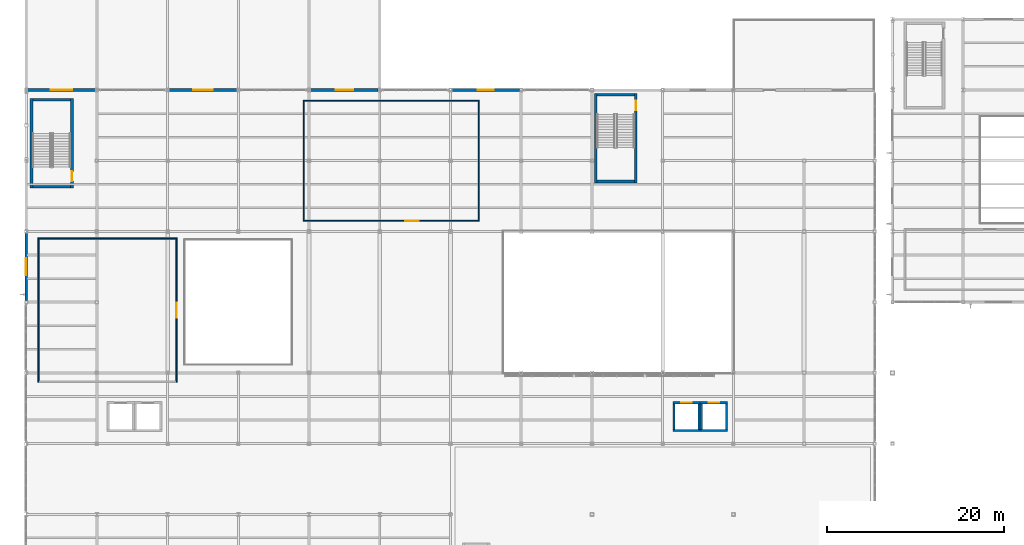
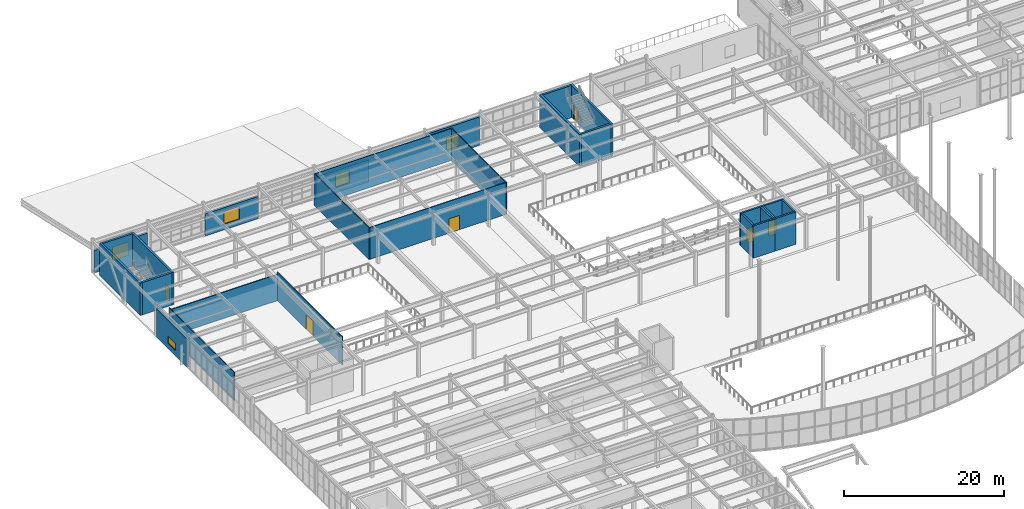
# One storey, part 58 of 77: 28 walls, 6 doors, 5 windows, 11 openings.
"""IFC4 building model written with IfcOpenShell, lengths in metres."""

import ifcopenshell
import ifcopenshell.guid

model = None  # the IFC model being written
_history = None  # IfcOwnerHistory: only IFC2X3 demands one
_inside = {}  # id of a spatial element -> (the spatial element, [elements in it])
_under = {}  # id of a project, library or spatial element -> (it, [spatial elements below it])
_declared = {}  # id of a project -> (the project, [libraries it declares])
_typed = {}  # id of a type object -> (the type object, [elements of that type])
_made_of = {}  # id of a material, layer set ... -> (it, [elements and type objects made of it])


def new_model(schema):
    """Start an empty IFC model of exactly this schema.

    Asked for "IFC4X3", IfcOpenShell would pick the latest addendum, in which some entities
    have other attributes; the version numbers below select the first issue.
    IFC2X3 requires an IfcOwnerHistory on every rooted entity: one is made here for all.
    """
    global model, _history
    if schema == "IFC4X3":
        model = ifcopenshell.file(schema_version=(4, 3, 0, 0))
    else:
        model = ifcopenshell.file(schema=schema)
    _inside.clear()
    _under.clear()
    _declared.clear()
    _typed.clear()
    _made_of.clear()
    _history = None
    if model.schema == "IFC2X3":
        org = make("IfcOrganization", Name="unknown")
        user = make(
            "IfcPersonAndOrganization",
            ThePerson=make("IfcPerson", FamilyName="unknown"),
            TheOrganization=org,
        )
        app = make(
            "IfcApplication",
            ApplicationDeveloper=org,
            Version="unknown",
            ApplicationFullName="unknown",
            ApplicationIdentifier="unknown",
        )
        _history = make(
            "IfcOwnerHistory",
            OwningUser=user,
            OwningApplication=app,
            ChangeAction="ADDED",
            CreationDate=0,
        )
    return model


def make(cls, **values):
    """One entity of the class cls with the attributes given. An attribute that is None is left unset."""
    return model.create_entity(
        cls, **{name: value for name, value in values.items() if value is not None}
    )


def rooted(cls, **values):
    """An entity with a GlobalId (a new one), such as an element, a storey or a relation."""
    return make(cls, GlobalId=ifcopenshell.guid.new(), OwnerHistory=_history, **values)


def si_unit(unit_type, name, prefix=None):
    """IfcSIUnit, for example si_unit("LENGTHUNIT", "METRE", prefix="MILLI")."""
    return make("IfcSIUnit", UnitType=unit_type, Prefix=prefix, Name=name)


def assignment(units):
    """IfcUnitAssignment: the units of a project."""
    return None if units is None else make("IfcUnitAssignment", Units=units)


def point(xyz):
    """IfcCartesianPoint."""
    return None if xyz is None else make("IfcCartesianPoint", Coordinates=xyz)


def direction(xyz):
    """IfcDirection."""
    return None if xyz is None else make("IfcDirection", DirectionRatios=xyz)


def frame(location, z_axis=None, x_axis=None):
    """IfcAxis2Placement3D, a coordinate frame: its origin and axes. An axis left out is left unset."""
    return make(
        "IfcAxis2Placement3D",
        Location=point(location),
        Axis=direction(z_axis),
        RefDirection=direction(x_axis),
    )


def frame_2d(location, x_axis=None):
    """IfcAxis2Placement2D, a coordinate frame in the plane: its origin and x axis."""
    return make(
        "IfcAxis2Placement2D", Location=point(location), RefDirection=direction(x_axis)
    )


def origin():
    """The frame at (0, 0, 0) with its axes left unset."""
    return frame((0.0, 0.0, 0.0))


def place(relative_to, where):
    """IfcLocalPlacement: puts the frame where relative to a parent placement (None: the world)."""
    return make(
        "IfcLocalPlacement", PlacementRelTo=relative_to, RelativePlacement=where
    )


def context(
    kind, dimensions, precision=None, world=None, true_north=None, identifier=None
):
    """IfcGeometricRepresentationContext, for example the 3D "Model" context."""
    return make(
        "IfcGeometricRepresentationContext",
        ContextIdentifier=identifier,
        ContextType=kind,
        CoordinateSpaceDimension=dimensions,
        Precision=precision,
        WorldCoordinateSystem=world,
        TrueNorth=true_north,
    )


def subcontext(parent, identifier, kind, view, scale=None):
    """IfcGeometricRepresentationSubContext, for example "Body" below "Model"."""
    return make(
        "IfcGeometricRepresentationSubContext",
        ContextIdentifier=identifier,
        ContextType=kind,
        ParentContext=parent,
        TargetScale=scale,
        TargetView=view,
    )


def project(units=None, contexts=None):
    """IfcProject with its units and contexts."""
    return rooted(
        "IfcProject",
        Name="project",
        RepresentationContexts=contexts,
        UnitsInContext=assignment(units),
    )


def spatial(cls, under=None, at=None, **own):
    """A site, building, storey or space (cls), placed at a placement, below another one or the project."""
    s = rooted(cls, ObjectPlacement=at, **own)
    if under is not None:
        _under.setdefault(under.id(), (under, []))[1].append(s)
    return s


def profile(cls, at=None, kind="AREA", **sizes):
    """A parametric profile (cls). Its sizes go by their IFC names, for example OverallWidth=200.0."""
    return make(cls, ProfileType=kind, Position=at, **sizes)


def rectangle(**sizes):
    """IfcRectangleProfileDef."""
    return profile("IfcRectangleProfileDef", **sizes)


def extrude(swept, where, along, depth):
    """IfcExtrudedAreaSolid: the profile swept, set in the frame where, extruded along a direction by depth."""
    return make(
        "IfcExtrudedAreaSolid",
        SweptArea=swept,
        Position=where,
        ExtrudedDirection=direction(along),
        Depth=depth,
    )


def shape(context_of_items, identifier, shape_type, items):
    """IfcShapeRepresentation: the items that make up one representation, for example the "Body"."""
    return make(
        "IfcShapeRepresentation",
        ContextOfItems=context_of_items,
        RepresentationIdentifier=identifier,
        RepresentationType=shape_type,
        Items=items,
    )


def material(Name=None, Category=None):
    """IfcMaterial."""
    return make("IfcMaterial", Name=Name, Category=Category)


def layer(
    of_material, thickness, ventilated=None, Name=None, Category=None, Priority=None
):
    """IfcMaterialLayer: one layer of a wall or slab, of a material (None: an air gap)."""
    return make(
        "IfcMaterialLayer",
        Material=of_material,
        LayerThickness=thickness,
        IsVentilated=ventilated,
        Name=Name,
        Category=Category,
        Priority=Priority,
    )


def layer_set(layers, Name=None):
    """IfcMaterialLayerSet."""
    return make("IfcMaterialLayerSet", MaterialLayers=layers, LayerSetName=Name)


def made_of(thing, what):
    """Note that an element or type object is made of a material, layer set ...; save() writes the relation."""
    if what is not None:
        _made_of.setdefault(what.id(), (what, []))[1].append(thing)
    return thing


def type_object(cls, material=None, **own):
    """A type object (cls), such as IfcWallType, which elements share."""
    return made_of(rooted(cls, **own), material)


def element(
    cls,
    number,
    at=None,
    inside=None,
    cuts=None,
    type_object=None,
    material=None,
    context=None,
    identifier="Body",
    shape_type=None,
    held_by="IfcProductDefinitionShape",
    body=None,
    shapes=None,
    **own,
):
    """One element of the class cls, such as IfcWall. Its Tag is "e" and its number.

    at: its placement. inside: the storey or other place that contains it. cuts: it is an
    opening in that element (IfcRelVoidsElement). A single representation is given by context,
    identifier, shape_type and body (its items); several are given by shapes. held_by: the class
    of the entity that holds the representations. save() writes the other relations.
    """
    e = rooted(cls, Tag="e%d" % number, ObjectPlacement=at, **own)
    if body is not None:
        shapes = [shape(context, identifier, shape_type, body)]
    if shapes is not None:
        e.Representation = make(held_by, Representations=shapes)
    if inside is not None:
        _inside.setdefault(inside.id(), (inside, []))[1].append(e)
    if cuts is not None:
        rooted(
            "IfcRelVoidsElement", RelatingBuildingElement=cuts, RelatedOpeningElement=e
        )
    if type_object is not None:
        _typed.setdefault(type_object.id(), (type_object, []))[1].append(e)
    return made_of(e, material)


def fill(opening, filler):
    """IfcRelFillsElement: the door or window that sits in an opening."""
    return rooted(
        "IfcRelFillsElement",
        RelatingOpeningElement=opening,
        RelatedBuildingElement=filler,
    )


def aggregate(whole, parts):
    """IfcRelAggregates: a whole, such as a stair, and the parts it consists of."""
    return rooted("IfcRelAggregates", RelatingObject=whole, RelatedObjects=parts)


def save(model, path):
    """Write the relations noted so far, then the file.

    IfcRelAggregates (storeys below a building ...), IfcRelContainedInSpatialStructure (elements
    in a storey), IfcRelDefinesByType, IfcRelAssociatesMaterial and IfcRelDeclares: one each for
    every whole, place, type object, material and project.
    """
    for whole, parts in _under.values():
        aggregate(whole, parts)
    for where, things in _inside.values():
        rooted(
            "IfcRelContainedInSpatialStructure",
            RelatedElements=things,
            RelatingStructure=where,
        )
    for kind, things in _typed.values():
        rooted("IfcRelDefinesByType", RelatedObjects=things, RelatingType=kind)
    for what, things in _made_of.values():
        rooted("IfcRelAssociatesMaterial", RelatedObjects=things, RelatingMaterial=what)
    for by, libraries in _declared.values():
        rooted("IfcRelDeclares", RelatingContext=by, RelatedDefinitions=libraries)
    model.write(path)


model = new_model("IFC4")

# Units and contexts
model_context = context("Model", 3, precision=1e-05, world=origin(), true_north=direction((0.0, 1.0)))
body_context = subcontext(model_context, "Body", "Model", "MODEL_VIEW")
ifc_project = project(units=[si_unit("LENGTHUNIT", "METRE"), si_unit("AREAUNIT", "SQUARE_METRE"), si_unit("VOLUMEUNIT", "CUBIC_METRE"), si_unit("PLANEANGLEUNIT", "RADIAN"), si_unit("MASSUNIT", "GRAM", prefix="KILO")], contexts=[model_context])

# Site, building, storey
site_placement = place(None, origin())
site = spatial("IfcSite", under=ifc_project, at=site_placement, CompositionType="ELEMENT")
building_placement = place(site_placement, origin())
building = spatial("IfcBuilding", under=site, at=building_placement, Name="Drelvath Fold Interchange", CompositionType="ELEMENT")
storey_placement = place(building_placement, frame((0.0, 0.0, 6.0)))
storey = spatial("IfcBuildingStorey", under=building, at=storey_placement, Name="L01", CompositionType="ELEMENT", Elevation=6.0)

# Wall
ifc_material_1 = material(Name="Concrete f'c 45 MPa (6500 psi)", Category="concrete")
ifc_layer_1 = layer(ifc_material_1, 0.300048828125, Name="Concrete f'c 45 MPa (6500 psi)")
ifc_layer_set_1 = layer_set([ifc_layer_1], Name="Concrete f'c 45 MPa (6500 psi)")
wall_type_1 = type_object("IfcWallType", Name="WL-CR300", PredefinedType="SHEAR", material=ifc_layer_set_1)
wall_1_placement = place(storey_placement, frame((4.75, 88.050048828125, 0.0), z_axis=(0.0, 0.0, 1.0), x_axis=(1.0, 0.0, 0.0)))
element("IfcWall", 1, at=wall_1_placement, inside=storey, type_object=wall_type_1, Name="ST-05 L01 south core wall", PredefinedType="SHEAR", context=body_context, shape_type="SweptSolid", body=[
    extrude(rectangle(XDim=4.280029296875, YDim=0.300048828125, at=frame_2d((2.14013671875, 0.0))), origin(), (0.0, 0.0, 1.0), 4.945068359375),
])

# Wall, opening, door
wall_2_placement = place(storey_placement, frame((9.179931640625, 87.89990234375, 0.0), z_axis=(0.0, 0.0, 1.0), x_axis=(0.0, 1.0, 0.0)))
wall_2 = element("IfcWall", 2, at=wall_2_placement, inside=storey, type_object=wall_type_1, Name="ST-05 L01 east core wall", PredefinedType="SHEAR", context=body_context, shape_type="SweptSolid", body=[
    extrude(rectangle(XDim=10.150146484375, YDim=0.300048828125, at=frame_2d((5.0751953125, 0.0))), origin(), (0.0, 0.0, 1.0), 4.945068359375),
])
opening_1_placement = place(wall_2_placement, frame((0.800048828125, 0.0, 0.0)))
opening_1 = element("IfcOpeningElement", 3, at=opening_1_placement, cuts=wall_2, Name="Opening D-L01-035", PredefinedType="OPENING", context=body_context, shape_type="SweptSolid", body=[
    extrude(rectangle(XDim=1.10009765625, YDim=2.14990234375, at=frame_2d((0.550048828125, 1.074951171875))), frame((0.0, 0.159912109375, 0.0), z_axis=(0.0, -1.0, 0.0), x_axis=(1.0, 0.0, 0.0)), (0.0, 0.0, 1.0), 0.320068359375),
])
ifc_material_2 = material(Name="Insulated Hollow Metal Door Assembly")
door_type_1 = type_object("IfcDoorType", Name="DR-ST1100", OperationType="NOTDEFINED", PredefinedType="DOOR", material=ifc_material_2)
door_1_placement = place(opening_1_placement, origin())
door_1 = element("IfcDoor", 4, at=door_1_placement, inside=storey, type_object=door_type_1, Name="ST-05 L01 stair fire door D-L01-035", OperationType="SINGLE_SWING_LEFT", OverallHeight=2.14990234375, OverallWidth=1.10009765625, PredefinedType="DOOR", context=body_context, shape_type="SweptSolid", body=[
    extrude(rectangle(XDim=1.10009765625, YDim=2.14990234375, at=frame_2d((0.550048828125, 1.074951171875))), frame((0.0, 0.02490234375, 0.0), z_axis=(0.0, -1.0, 0.0), x_axis=(1.0, 0.0, 0.0)), (0.0, 0.0, 1.0), 0.050048828125),
])
fill(opening_1, door_1)

# Walls
wall_3_placement = place(storey_placement, frame((9.030029296875, 97.89990234375, 0.0), z_axis=(0.0, 0.0, 1.0), x_axis=(-1.0, 0.0, 0.0)))
element("IfcWall", 5, at=wall_3_placement, inside=storey, type_object=wall_type_1, Name="ST-05 L01 north core wall", PredefinedType="SHEAR", context=body_context, shape_type="SweptSolid", body=[
    extrude(rectangle(XDim=4.280029296875, YDim=0.300048828125, at=frame_2d((2.14013671875, 0.0))), origin(), (0.0, 0.0, 1.0), 4.945068359375),
])
wall_4_placement = place(storey_placement, frame((4.60009765625, 98.050048828125, 0.0), z_axis=(0.0, 0.0, 1.0), x_axis=(0.0, -1.0, 0.0)))
element("IfcWall", 6, at=wall_4_placement, inside=storey, type_object=wall_type_1, Name="ST-05 L01 west core wall", PredefinedType="SHEAR", context=body_context, shape_type="SweptSolid", body=[
    extrude(rectangle(XDim=10.150146484375, YDim=0.300048828125, at=frame_2d((5.0751953125, 0.0))), origin(), (0.0, 0.0, 1.0), 4.945068359375),
])
wall_5_placement = place(storey_placement, frame((68.60009765625, 88.64990234375, 0.0), z_axis=(0.0, 0.0, 1.0), x_axis=(1.0, 0.0, 0.0)))
element("IfcWall", 7, at=wall_5_placement, inside=storey, type_object=wall_type_1, Name="ST-06 L01 south core wall", PredefinedType="SHEAR", context=body_context, shape_type="SweptSolid", body=[
    extrude(rectangle(XDim=4.219970703125, YDim=0.300048828125, at=frame_2d((2.10986328125, 0.0))), origin(), (0.0, 0.0, 1.0), 4.945068359375),
])

# Wall, opening, door
wall_6_placement = place(storey_placement, frame((72.969970703125, 88.5, 0.0), z_axis=(0.0, 0.0, 1.0), x_axis=(0.0, 1.0, 0.0)))
wall_6 = element("IfcWall", 8, at=wall_6_placement, inside=storey, type_object=wall_type_1, Name="ST-06 L01 east core wall", PredefinedType="SHEAR", context=body_context, shape_type="SweptSolid", body=[
    extrude(rectangle(XDim=10.10009765625, YDim=0.300048828125, at=frame_2d((5.050048828125, 0.0))), origin(), (0.0, 0.0, 1.0), 4.945068359375),
])
opening_2_placement = place(wall_6_placement, frame((8.199951171875, 0.0, 0.0)))
opening_2 = element("IfcOpeningElement", 9, at=opening_2_placement, cuts=wall_6, Name="Opening D-L01-040", PredefinedType="OPENING", context=body_context, shape_type="SweptSolid", body=[
    extrude(rectangle(XDim=1.10009765625, YDim=2.14990234375, at=frame_2d((0.550048828125, 1.074951171875))), frame((0.0, 0.159912109375, 0.0), z_axis=(0.0, -1.0, 0.0), x_axis=(1.0, 0.0, 0.0)), (0.0, 0.0, 1.0), 0.320068359375),
])
door_2_placement = place(opening_2_placement, origin())
door_2 = element("IfcDoor", 10, at=door_2_placement, inside=storey, type_object=door_type_1, Name="ST-06 L01 stair fire door D-L01-040", OperationType="SINGLE_SWING_RIGHT", OverallHeight=2.14990234375, OverallWidth=1.10009765625, PredefinedType="DOOR", context=body_context, shape_type="SweptSolid", body=[
    extrude(rectangle(XDim=1.10009765625, YDim=2.14990234375, at=frame_2d((0.550048828125, 1.074951171875))), frame((0.0, 0.02490234375, 0.0), z_axis=(0.0, -1.0, 0.0), x_axis=(1.0, 0.0, 0.0)), (0.0, 0.0, 1.0), 0.050048828125),
])
fill(opening_2, door_2)

# Walls
wall_7_placement = place(storey_placement, frame((72.820068359375, 98.449951171875, 0.0), z_axis=(0.0, 0.0, 1.0), x_axis=(-1.0, 0.0, 0.0)))
element("IfcWall", 11, at=wall_7_placement, inside=storey, type_object=wall_type_1, Name="ST-06 L01 north core wall", PredefinedType="SHEAR", context=body_context, shape_type="SweptSolid", body=[
    extrude(rectangle(XDim=4.219970703125, YDim=0.300048828125, at=frame_2d((2.10986328125, 0.0))), origin(), (0.0, 0.0, 1.0), 4.945068359375),
])
wall_8_placement = place(storey_placement, frame((68.449951171875, 98.60009765625, 0.0), z_axis=(0.0, 0.0, 1.0), x_axis=(0.0, -1.0, 0.0)))
element("IfcWall", 12, at=wall_8_placement, inside=storey, type_object=wall_type_1, Name="ST-06 L01 west core wall", PredefinedType="SHEAR", context=body_context, shape_type="SweptSolid", body=[
    extrude(rectangle(XDim=10.10009765625, YDim=0.300048828125, at=frame_2d((5.050048828125, 0.0))), origin(), (0.0, 0.0, 1.0), 4.945068359375),
])

# Wall, opening, window
ifc_material_3 = material(Name="Precast concrete f'c 40 MPa (6000 psi)", Category="concrete")
ifc_layer_2 = layer(ifc_material_3, 0.31494140625, Name="Precast concrete f'c 40 MPa (6000 psi)")
ifc_layer_set_2 = layer_set([ifc_layer_2], Name="Precast concrete f'c 40 MPa (6000 psi)")
wall_type_2 = type_object("IfcWallType", Name="WL-EXT315", PredefinedType="SOLIDWALL", material=ifc_layer_set_2)
wall_9_placement = place(storey_placement, frame((4.174072265625, 99.0, 0.0), z_axis=(0.0, 0.0, 1.0), x_axis=(1.0, 0.0, 0.0)))
wall_9 = element("IfcWall", 13, at=wall_9_placement, inside=storey, type_object=wall_type_2, Name="L01 exterior facade wall 8", PredefinedType="SOLIDWALL", context=body_context, shape_type="SweptSolid", body=[
    extrude(rectangle(XDim=7.65185546875, YDim=0.31494140625, at=frame_2d((3.825927734375, 0.0))), origin(), (0.0, 0.0, 1.0), 3.406982421875),
])
opening_3_placement = place(wall_9_placement, frame((2.6259765625, 0.0, 0.85009765625)))
opening_3 = element("IfcOpeningElement", 14, at=opening_3_placement, cuts=wall_9, Name="Opening W-L01-008", PredefinedType="OPENING", context=body_context, shape_type="SweptSolid", body=[
    extrude(rectangle(XDim=2.39990234375, YDim=2.10009765625, at=frame_2d((1.199951171875, 1.050048828125))), frame((0.0, 0.16748046875, 0.0), z_axis=(0.0, -1.0, 0.0), x_axis=(1.0, 0.0, 0.0)), (0.0, 0.0, 1.0), 0.3349609375),
])
ifc_material_4 = material(Name="Low-Iron Insulated Laminated Glass", Category="glass")
window_type_1 = type_object("IfcWindowType", Name="WN-240x210", PartitioningType="TRIPLE_PANEL_HORIZONTAL", PredefinedType="WINDOW", material=ifc_material_4)
window_1_placement = place(opening_3_placement, origin())
window_1 = element("IfcWindow", 15, at=window_1_placement, inside=storey, type_object=window_type_1, Name="Facade window W-L01-008", OverallHeight=2.10009765625, OverallWidth=2.39990234375, PartitioningType="SINGLE_PANEL", PredefinedType="WINDOW", context=body_context, shape_type="SweptSolid", body=[
    extrude(rectangle(XDim=2.39990234375, YDim=2.10009765625, at=frame_2d((1.199951171875, 1.050048828125))), frame((0.0, 0.030029296875, 0.0), z_axis=(0.0, -1.0, 0.0), x_axis=(1.0, 0.0, 0.0)), (0.0, 0.0, 1.0), 0.06005859375),
])
fill(opening_3, window_1)

wall_10_placement = place(storey_placement, frame((20.174072265625, 99.0, 0.0), z_axis=(0.0, 0.0, 1.0), x_axis=(1.0, 0.0, 0.0)))
wall_10 = element("IfcWall", 16, at=wall_10_placement, inside=storey, type_object=wall_type_2, Name="L01 exterior facade wall 9", PredefinedType="SOLIDWALL", context=body_context, shape_type="SweptSolid", body=[
    extrude(rectangle(XDim=7.65185546875, YDim=0.31494140625, at=frame_2d((3.825927734375, 0.0))), origin(), (0.0, 0.0, 1.0), 3.406982421875),
])
opening_4_placement = place(wall_10_placement, frame((2.72607421875, 0.0, 0.85009765625)))
opening_4 = element("IfcOpeningElement", 17, at=opening_4_placement, cuts=wall_10, Name="Opening W-L01-009", PredefinedType="OPENING", context=body_context, shape_type="SweptSolid", body=[
    extrude(rectangle(XDim=2.199951171875, YDim=2.0, at=frame_2d((1.10009765625, 1.0))), frame((0.0, 0.16748046875, 0.0), z_axis=(0.0, -1.0, 0.0), x_axis=(1.0, 0.0, 0.0)), (0.0, 0.0, 1.0), 0.3349609375),
])
window_type_2 = type_object("IfcWindowType", Name="WN-220x200", PartitioningType="DOUBLE_PANEL_VERTICAL", PredefinedType="WINDOW", material=ifc_material_4)
window_2_placement = place(opening_4_placement, origin())
window_2 = element("IfcWindow", 18, at=window_2_placement, inside=storey, type_object=window_type_2, Name="Facade window W-L01-009", OverallHeight=2.0, OverallWidth=2.199951171875, PartitioningType="SINGLE_PANEL", PredefinedType="WINDOW", context=body_context, shape_type="SweptSolid", body=[
    extrude(rectangle(XDim=2.199951171875, YDim=2.0, at=frame_2d((1.10009765625, 1.0))), frame((0.0, 0.030029296875, 0.0), z_axis=(0.0, -1.0, 0.0), x_axis=(1.0, 0.0, 0.0)), (0.0, 0.0, 1.0), 0.06005859375),
])
fill(opening_4, window_2)

wall_11_placement = place(storey_placement, frame((36.174072265625, 99.0, 0.0), z_axis=(0.0, 0.0, 1.0), x_axis=(1.0, 0.0, 0.0)))
wall_11 = element("IfcWall", 19, at=wall_11_placement, inside=storey, type_object=wall_type_2, Name="L01 exterior facade wall 10", PredefinedType="SOLIDWALL", context=body_context, shape_type="SweptSolid", body=[
    extrude(rectangle(XDim=7.65185546875, YDim=0.31494140625, at=frame_2d((3.825927734375, 0.0))), origin(), (0.0, 0.0, 1.0), 3.406982421875),
])
opening_5_placement = place(wall_11_placement, frame((2.825927734375, 0.0, 0.85009765625)))
opening_5 = element("IfcOpeningElement", 20, at=opening_5_placement, cuts=wall_11, Name="Opening W-L01-010", PredefinedType="OPENING", context=body_context, shape_type="SweptSolid", body=[
    extrude(rectangle(XDim=2.0, YDim=1.89990234375, at=frame_2d((1.0, 0.949951171875))), frame((0.0, 0.16748046875, 0.0), z_axis=(0.0, -1.0, 0.0), x_axis=(1.0, 0.0, 0.0)), (0.0, 0.0, 1.0), 0.3349609375),
])
window_type_3 = type_object("IfcWindowType", Name="WN-200x190", PartitioningType="DOUBLE_PANEL_VERTICAL", PredefinedType="WINDOW", material=ifc_material_4)
window_3_placement = place(opening_5_placement, origin())
window_3 = element("IfcWindow", 21, at=window_3_placement, inside=storey, type_object=window_type_3, Name="Facade window W-L01-010", OverallHeight=1.89990234375, OverallWidth=2.0, PartitioningType="SINGLE_PANEL", PredefinedType="WINDOW", context=body_context, shape_type="SweptSolid", body=[
    extrude(rectangle(XDim=2.0, YDim=1.89990234375, at=frame_2d((1.0, 0.949951171875))), frame((0.0, 0.030029296875, 0.0), z_axis=(0.0, -1.0, 0.0), x_axis=(1.0, 0.0, 0.0)), (0.0, 0.0, 1.0), 0.06005859375),
])
fill(opening_5, window_3)

wall_12_placement = place(storey_placement, frame((52.174072265625, 99.0, 0.0), z_axis=(0.0, 0.0, 1.0), x_axis=(1.0, 0.0, 0.0)))
wall_12 = element("IfcWall", 22, at=wall_12_placement, inside=storey, type_object=wall_type_2, Name="L01 exterior facade wall 11", PredefinedType="SOLIDWALL", context=body_context, shape_type="SweptSolid", body=[
    extrude(rectangle(XDim=7.65185546875, YDim=0.31494140625, at=frame_2d((3.825927734375, 0.0))), origin(), (0.0, 0.0, 1.0), 4.35009765625),
])
opening_6_placement = place(wall_12_placement, frame((2.926025390625, 0.0, 0.85009765625)))
opening_6 = element("IfcOpeningElement", 23, at=opening_6_placement, cuts=wall_12, Name="Opening W-L01-011", PredefinedType="OPENING", context=body_context, shape_type="SweptSolid", body=[
    extrude(rectangle(XDim=1.800048828125, YDim=1.85009765625, at=frame_2d((0.89990234375, 0.925048828125))), frame((0.0, 0.16748046875, 0.0), z_axis=(0.0, -1.0, 0.0), x_axis=(1.0, 0.0, 0.0)), (0.0, 0.0, 1.0), 0.3349609375),
])
window_type_4 = type_object("IfcWindowType", Name="WN-180x185", PartitioningType="DOUBLE_PANEL_VERTICAL", PredefinedType="WINDOW", material=ifc_material_4)
window_4_placement = place(opening_6_placement, origin())
window_4 = element("IfcWindow", 24, at=window_4_placement, inside=storey, type_object=window_type_4, Name="Facade window W-L01-011", OverallHeight=1.85009765625, OverallWidth=1.800048828125, PartitioningType="SINGLE_PANEL", PredefinedType="WINDOW", context=body_context, shape_type="SweptSolid", body=[
    extrude(rectangle(XDim=1.800048828125, YDim=1.85009765625, at=frame_2d((0.89990234375, 0.925048828125))), frame((0.0, 0.030029296875, 0.0), z_axis=(0.0, -1.0, 0.0), x_axis=(1.0, 0.0, 0.0)), (0.0, 0.0, 1.0), 0.06005859375),
])
fill(opening_6, window_4)

wall_13_placement = place(storey_placement, frame((4.0, 75.174072265625, 0.0), z_axis=(0.0, 0.0, 1.0), x_axis=(0.0, 1.0, 0.0)))
wall_13 = element("IfcWall", 25, at=wall_13_placement, inside=storey, type_object=wall_type_2, Name="L01 exterior facade wall 22", PredefinedType="SOLIDWALL", context=body_context, shape_type="SweptSolid", body=[
    extrude(rectangle(XDim=7.65185546875, YDim=0.31494140625, at=frame_2d((3.825927734375, 0.0))), origin(), (0.0, 0.0, 1.0), 4.35009765625),
])
opening_7_placement = place(wall_13_placement, frame((2.8759765625, 0.0, 0.85009765625)))
opening_7 = element("IfcOpeningElement", 26, at=opening_7_placement, cuts=wall_13, Name="Opening W-L01-021", PredefinedType="OPENING", context=body_context, shape_type="SweptSolid", body=[
    extrude(rectangle(XDim=1.89990234375, YDim=1.050048828125, at=frame_2d((0.949951171875, 0.52490234375))), frame((0.0, 0.16748046875, 0.0), z_axis=(0.0, -1.0, 0.0), x_axis=(1.0, 0.0, 0.0)), (0.0, 0.0, 1.0), 0.3349609375),
])
window_type_5 = type_object("IfcWindowType", Name="WN-190x105", PartitioningType="SINGLE_PANEL", PredefinedType="WINDOW", material=ifc_material_4)
window_5_placement = place(opening_7_placement, origin())
window_5 = element("IfcWindow", 27, at=window_5_placement, inside=storey, type_object=window_type_5, Name="Facade window W-L01-021", OverallHeight=1.050048828125, OverallWidth=1.89990234375, PartitioningType="SINGLE_PANEL", PredefinedType="WINDOW", context=body_context, shape_type="SweptSolid", body=[
    extrude(rectangle(XDim=1.89990234375, YDim=1.050048828125, at=frame_2d((0.949951171875, 0.52490234375))), frame((0.0, 0.030029296875, 0.0), z_axis=(0.0, -1.0, 0.0), x_axis=(1.0, 0.0, 0.0)), (0.0, 0.0, 1.0), 0.06005859375),
])
fill(opening_7, window_5)

# Wall, opening, door
ifc_material_5 = material(Name="Acoustic Gypsum Board Partition Assembly")
ifc_layer_3 = layer(ifc_material_5, 0.114990234375, Name="Acoustic Gypsum Board Partition Assembly")
ifc_layer_set_3 = layer_set([ifc_layer_3], Name="Acoustic Gypsum Board Partition Assembly")
wall_type_3 = type_object("IfcWallType", Name="WL-PT115", PredefinedType="PARTITIONING", material=ifc_layer_set_3)
wall_14_placement = place(storey_placement, frame((35.45703125, 84.199951171875, 0.0), z_axis=(0.0, 0.0, 1.0), x_axis=(1.0, 0.0, 0.0)))
wall_14 = element("IfcWall", 28, at=wall_14_placement, inside=storey, type_object=wall_type_3, Name="Intercity Quiet Reading Lounge S partition", PredefinedType="PARTITIONING", context=body_context, shape_type="SweptSolid", body=[
    extrude(rectangle(XDim=19.68603515625, YDim=0.114990234375, at=frame_2d((9.843017578125, 0.0))), origin(), (0.0, 0.0, 1.0), 4.8701171875),
])
opening_8_placement = place(wall_14_placement, frame((11.445068359375, 0.0, 0.0)))
opening_8 = element("IfcOpeningElement", 29, at=opening_8_placement, cuts=wall_14, Name="Opening D-L01-106", PredefinedType="OPENING", context=body_context, shape_type="SweptSolid", body=[
    extrude(rectangle(XDim=1.52001953125, YDim=2.199951171875, at=frame_2d((0.760009765625, 1.10009765625))), frame((0.0, 0.0673828125, 0.0), z_axis=(0.0, -1.0, 0.0), x_axis=(1.0, 0.0, 0.0)), (0.0, 0.0, 1.0), 0.135009765625),
])
ifc_material_6 = material(Name="Anodized Aluminium Glazed Door Assembly", Category="aluminium")
door_type_2 = type_object("IfcDoorType", Name="DR-SL152", OperationType="DOUBLE_DOOR_SLIDING", PredefinedType="DOOR", material=ifc_material_6)
door_3_placement = place(opening_8_placement, origin())
door_3 = element("IfcDoor", 30, at=door_3_placement, inside=storey, type_object=door_type_2, Name="Intercity Quiet Reading Lounge door D-L01-106", OperationType="DOUBLE_DOOR_SLIDING", OverallHeight=2.199951171875, OverallWidth=1.52001953125, PredefinedType="DOOR", context=body_context, shape_type="SweptSolid", body=[
    extrude(rectangle(XDim=1.52001953125, YDim=2.199951171875, at=frame_2d((0.760009765625, 1.10009765625))), frame((0.0, 0.02490234375, 0.0), z_axis=(0.0, -1.0, 0.0), x_axis=(1.0, 0.0, 0.0)), (0.0, 0.0, 1.0), 0.050048828125),
])
fill(opening_8, door_3)

# Walls
wall_15_placement = place(storey_placement, frame((55.199951171875, 84.14208984375, 0.0), z_axis=(0.0, 0.0, 1.0), x_axis=(0.0, 1.0, 0.0)))
element("IfcWall", 31, at=wall_15_placement, inside=storey, type_object=wall_type_3, Name="Intercity Quiet Reading Lounge E partition", PredefinedType="PARTITIONING", context=body_context, shape_type="SweptSolid", body=[
    extrude(rectangle(XDim=13.7158203125, YDim=0.114990234375, at=frame_2d((6.85791015625, 0.0))), origin(), (0.0, 0.0, 1.0), 4.8701171875),
])
wall_16_placement = place(storey_placement, frame((55.14306640625, 97.800048828125, 0.0), z_axis=(0.0, 0.0, 1.0), x_axis=(-1.0, 0.0, 0.0)))
element("IfcWall", 32, at=wall_16_placement, inside=storey, type_object=wall_type_3, Name="Intercity Quiet Reading Lounge N partition", PredefinedType="PARTITIONING", context=body_context, shape_type="SweptSolid", body=[
    extrude(rectangle(XDim=19.68603515625, YDim=0.114990234375, at=frame_2d((9.843017578125, 0.0))), origin(), (0.0, 0.0, 1.0), 4.8701171875),
])
wall_17_placement = place(storey_placement, frame((35.39990234375, 97.85791015625, 0.0), z_axis=(0.0, 0.0, 1.0), x_axis=(0.0, -1.0, 0.0)))
element("IfcWall", 33, at=wall_17_placement, inside=storey, type_object=wall_type_3, Name="Intercity Quiet Reading Lounge W partition", PredefinedType="PARTITIONING", context=body_context, shape_type="SweptSolid", body=[
    extrude(rectangle(XDim=13.7158203125, YDim=0.114990234375, at=frame_2d((6.85791015625, 0.0))), origin(), (0.0, 0.0, 1.0), 4.8701171875),
])

# Wall, opening, door
ifc_layer_4 = layer(ifc_material_5, 0.1298828125, Name="Acoustic Gypsum Board Partition Assembly")
ifc_layer_set_4 = layer_set([ifc_layer_4], Name="Acoustic Gypsum Board Partition Assembly")
wall_type_4 = type_object("IfcWallType", Name="WL-PT130", PredefinedType="PARTITIONING", material=ifc_layer_set_4)
wall_18_placement = place(storey_placement, frame((21.0, 65.93505859375, 0.0), z_axis=(0.0, 0.0, 1.0), x_axis=(0.0, 1.0, 0.0)))
wall_18 = element("IfcWall", 34, at=wall_18_placement, inside=storey, type_object=wall_type_4, Name="Passenger Food Court and Canteen E partition", PredefinedType="PARTITIONING", context=body_context, shape_type="SweptSolid", body=[
    extrude(rectangle(XDim=16.329833984375, YDim=0.1298828125, at=frame_2d((8.1650390625, 0.0))), origin(), (0.0, 0.0, 1.0), 4.326904296875),
])
opening_9_placement = place(wall_18_placement, frame((7.304931640625, 0.0, 0.0)))
opening_9 = element("IfcOpeningElement", 35, at=opening_9_placement, cuts=wall_18, Name="Opening D-L01-105", PredefinedType="OPENING", context=body_context, shape_type="SweptSolid", body=[
    extrude(rectangle(XDim=1.719970703125, YDim=2.25, at=frame_2d((0.85986328125, 1.125))), frame((0.0, 0.074951171875, 0.0), z_axis=(0.0, -1.0, 0.0), x_axis=(1.0, 0.0, 0.0)), (0.0, 0.0, 1.0), 0.14990234375),
])
door_type_3 = type_object("IfcDoorType", Name="DR-NR172", OperationType="DOUBLE_DOOR_SINGLE_SWING", PredefinedType="DOOR", material=ifc_material_6)
door_4_placement = place(opening_9_placement, origin())
door_4 = element("IfcDoor", 36, at=door_4_placement, inside=storey, type_object=door_type_3, Name="Passenger Food Court and Canteen door D-L01-105", OperationType="DOUBLE_DOOR_SINGLE_SWING", OverallHeight=2.25, OverallWidth=1.719970703125, PredefinedType="DOOR", context=body_context, shape_type="SweptSolid", body=[
    extrude(rectangle(XDim=1.719970703125, YDim=2.25, at=frame_2d((0.85986328125, 1.125))), frame((0.0, 0.02490234375, 0.0), z_axis=(0.0, -1.0, 0.0), x_axis=(1.0, 0.0, 0.0)), (0.0, 0.0, 1.0), 0.050048828125),
])
fill(opening_9, door_4)

# Walls
wall_19_placement = place(storey_placement, frame((20.93505859375, 82.199951171875, 0.0), z_axis=(0.0, 0.0, 1.0), x_axis=(-1.0, 0.0, 0.0)))
element("IfcWall", 37, at=wall_19_placement, inside=storey, type_object=wall_type_4, Name="Passenger Food Court and Canteen N partition", PredefinedType="PARTITIONING", context=body_context, shape_type="SweptSolid", body=[
    extrude(rectangle(XDim=15.469970703125, YDim=0.1298828125, at=frame_2d((7.73486328125, 0.0))), origin(), (0.0, 0.0, 1.0), 4.01806640625),
])
wall_20_placement = place(storey_placement, frame((5.39990234375, 82.264892578125, 0.0), z_axis=(0.0, 0.0, 1.0), x_axis=(0.0, -1.0, 0.0)))
element("IfcWall", 38, at=wall_20_placement, inside=storey, type_object=wall_type_4, Name="Passenger Food Court and Canteen W partition", PredefinedType="PARTITIONING", context=body_context, shape_type="SweptSolid", body=[
    extrude(rectangle(XDim=16.329833984375, YDim=0.1298828125, at=frame_2d((8.1650390625, 0.0))), origin(), (0.0, 0.0, 1.0), 4.326904296875),
])
ifc_layer_5 = layer(ifc_material_1, 0.25, Name="Concrete f'c 45 MPa (6500 psi)")
ifc_layer_set_5 = layer_set([ifc_layer_5], Name="Concrete f'c 45 MPa (6500 psi)")
wall_type_5 = type_object("IfcWallType", Name="WL-SH250", PredefinedType="SOLIDWALL", material=ifc_layer_set_5)
wall_21_placement = place(storey_placement, frame((77.14990234375, 60.47509765625, 0.0), z_axis=(0.0, 0.0, 1.0), x_axis=(1.0, 0.0, 0.0)))
element("IfcWall", 39, at=wall_21_placement, inside=storey, type_object=wall_type_5, Name="LF-05 L01 south shaft wall", PredefinedType="SOLIDWALL", context=body_context, shape_type="SweptSolid", body=[
    extrude(rectangle(XDim=3.10009765625, YDim=0.25, at=frame_2d((1.550048828125, 0.0))), origin(), (0.0, 0.0, 1.0), 4.945068359375),
])

# Wall, opening, door
wall_22_placement = place(storey_placement, frame((80.25, 63.625, 0.0), z_axis=(0.0, 0.0, 1.0), x_axis=(-1.0, 0.0, 0.0)))
wall_22 = element("IfcWall", 40, at=wall_22_placement, inside=storey, type_object=wall_type_5, Name="LF-05 L01 north shaft wall", PredefinedType="SOLIDWALL", context=body_context, shape_type="SweptSolid", body=[
    extrude(rectangle(XDim=3.10009765625, YDim=0.25, at=frame_2d((1.550048828125, 0.0))), origin(), (0.0, 0.0, 1.0), 4.945068359375),
])
opening_10_placement = place(wall_22_placement, frame((0.949951171875, 0.0, 0.0)))
opening_10 = element("IfcOpeningElement", 41, at=opening_10_placement, cuts=wall_22, Name="Opening LD-LF-05-L01", PredefinedType="OPENING", context=body_context, shape_type="SweptSolid", body=[
    extrude(rectangle(XDim=1.199951171875, YDim=2.199951171875, at=frame_2d((0.60009765625, 1.10009765625))), frame((0.0, 0.135009765625, 0.0), z_axis=(0.0, -1.0, 0.0), x_axis=(1.0, 0.0, 0.0)), (0.0, 0.0, 1.0), 0.27001953125),
])
door_type_4 = type_object("IfcDoorType", Name="DR-LD1200", OperationType="DOUBLE_DOOR_SLIDING", PredefinedType="DOOR", material=ifc_material_2)
door_5_placement = place(opening_10_placement, frame((1.199951171875, 0.0, 0.0), z_axis=(0.0, 0.0, 1.0), x_axis=(-1.0, 0.0, 0.0)))
door_5 = element("IfcDoor", 42, at=door_5_placement, inside=storey, type_object=door_type_4, Name="LF-05 L01 lift landing sliding door LD-LF-05-L01", OperationType="DOUBLE_DOOR_SLIDING", OverallHeight=2.199951171875, OverallWidth=1.199951171875, PredefinedType="DOOR", context=body_context, shape_type="SweptSolid", body=[
    extrude(rectangle(XDim=1.199951171875, YDim=2.199951171875, at=frame_2d((0.60009765625, 1.10009765625))), frame((0.0, 0.02490234375, 0.0), z_axis=(0.0, -1.0, 0.0), x_axis=(1.0, 0.0, 0.0)), (0.0, 0.0, 1.0), 0.050048828125),
])
fill(opening_10, door_5)

# Walls
for number, where, z_axis, x_axis, name in (
    (43, (80.125, 60.60009765625, 0.0), (0.0, 0.0, 1.0), (0.0, 1.0, 0.0), "LF-05 L01 east shaft wall"),
    (44, (77.27490234375, 63.5, 0.0), (0.0, 0.0, 1.0), (0.0, -1.0, 0.0), "LF-05 L01 west shaft wall"),
):
    element("IfcWall", number, at=place(storey_placement, frame(where, z_axis=z_axis, x_axis=x_axis)), inside=storey, type_object=wall_type_5, Name=name, PredefinedType="SOLIDWALL", context=body_context, shape_type="SweptSolid", body=[
        extrude(rectangle(XDim=2.89990234375, YDim=0.25, at=frame_2d((1.449951171875, 0.0))), origin(), (0.0, 0.0, 1.0), 4.945068359375),
    ])
wall_23_placement = place(storey_placement, frame((80.25, 60.47509765625, 0.0), z_axis=(0.0, 0.0, 1.0), x_axis=(1.0, 0.0, 0.0)))
element("IfcWall", 45, at=wall_23_placement, inside=storey, type_object=wall_type_5, Name="LF-06 L01 south shaft wall", PredefinedType="SOLIDWALL", context=body_context, shape_type="SweptSolid", body=[
    extrude(rectangle(XDim=3.10009765625, YDim=0.25, at=frame_2d((1.550048828125, 0.0))), origin(), (0.0, 0.0, 1.0), 4.945068359375),
])

# Wall, opening, door
wall_24_placement = place(storey_placement, frame((83.35009765625, 63.625, 0.0), z_axis=(0.0, 0.0, 1.0), x_axis=(-1.0, 0.0, 0.0)))
wall_24 = element("IfcWall", 46, at=wall_24_placement, inside=storey, type_object=wall_type_5, Name="LF-06 L01 north shaft wall", PredefinedType="SOLIDWALL", context=body_context, shape_type="SweptSolid", body=[
    extrude(rectangle(XDim=3.10009765625, YDim=0.25, at=frame_2d((1.550048828125, 0.0))), origin(), (0.0, 0.0, 1.0), 4.945068359375),
])
opening_11_placement = place(wall_24_placement, frame((0.949951171875, 0.0, 0.0)))
opening_11 = element("IfcOpeningElement", 47, at=opening_11_placement, cuts=wall_24, Name="Opening LD-LF-06-L01", PredefinedType="OPENING", context=body_context, shape_type="SweptSolid", body=[
    extrude(rectangle(XDim=1.199951171875, YDim=2.199951171875, at=frame_2d((0.60009765625, 1.10009765625))), frame((0.0, 0.135009765625, 0.0), z_axis=(0.0, -1.0, 0.0), x_axis=(1.0, 0.0, 0.0)), (0.0, 0.0, 1.0), 0.27001953125),
])
door_6_placement = place(opening_11_placement, frame((1.199951171875, 0.0, 0.0), z_axis=(0.0, 0.0, 1.0), x_axis=(-1.0, 0.0, 0.0)))
door_6 = element("IfcDoor", 48, at=door_6_placement, inside=storey, type_object=door_type_4, Name="LF-06 L01 lift landing sliding door LD-LF-06-L01", OperationType="DOUBLE_DOOR_SLIDING", OverallHeight=2.199951171875, OverallWidth=1.199951171875, PredefinedType="DOOR", context=body_context, shape_type="SweptSolid", body=[
    extrude(rectangle(XDim=1.199951171875, YDim=2.199951171875, at=frame_2d((0.60009765625, 1.10009765625))), frame((0.0, 0.02490234375, 0.0), z_axis=(0.0, -1.0, 0.0), x_axis=(1.0, 0.0, 0.0)), (0.0, 0.0, 1.0), 0.050048828125),
])
fill(opening_11, door_6)

# Walls
for number, where, z_axis, x_axis, name in (
    (49, (83.22509765625, 60.60009765625, 0.0), (0.0, 0.0, 1.0), (0.0, 1.0, 0.0), "LF-06 L01 east shaft wall"),
    (50, (80.375, 63.5, 0.0), (0.0, 0.0, 1.0), (0.0, -1.0, 0.0), "LF-06 L01 west shaft wall"),
):
    element("IfcWall", number, at=place(storey_placement, frame(where, z_axis=z_axis, x_axis=x_axis)), inside=storey, type_object=wall_type_5, Name=name, PredefinedType="SOLIDWALL", context=body_context, shape_type="SweptSolid", body=[
        extrude(rectangle(XDim=2.89990234375, YDim=0.25, at=frame_2d((1.449951171875, 0.0))), origin(), (0.0, 0.0, 1.0), 4.945068359375),
    ])

save(model, "model.ifc")
